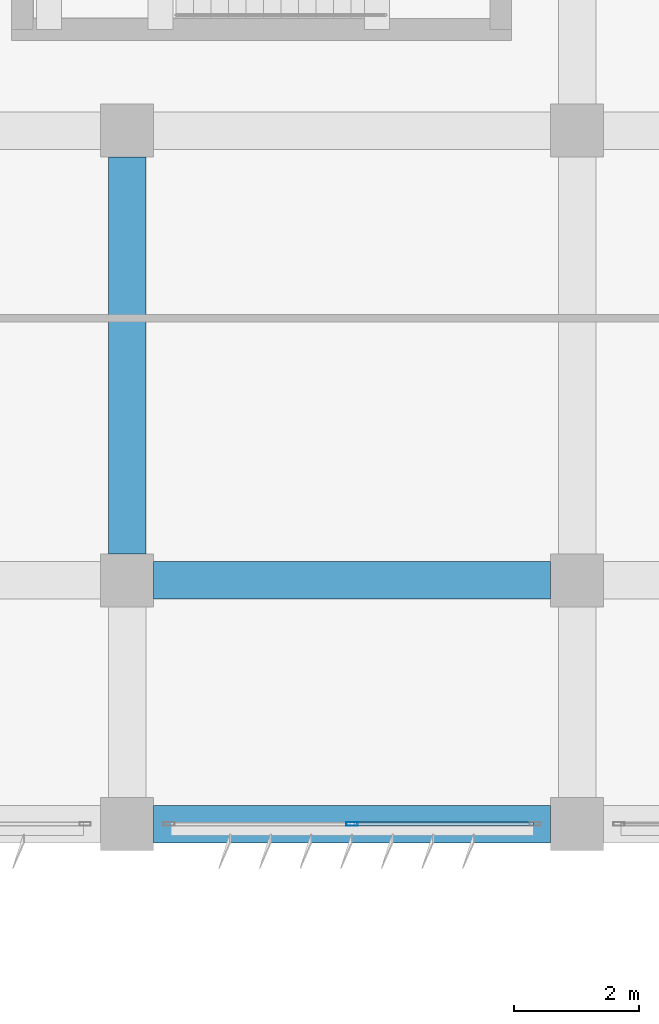
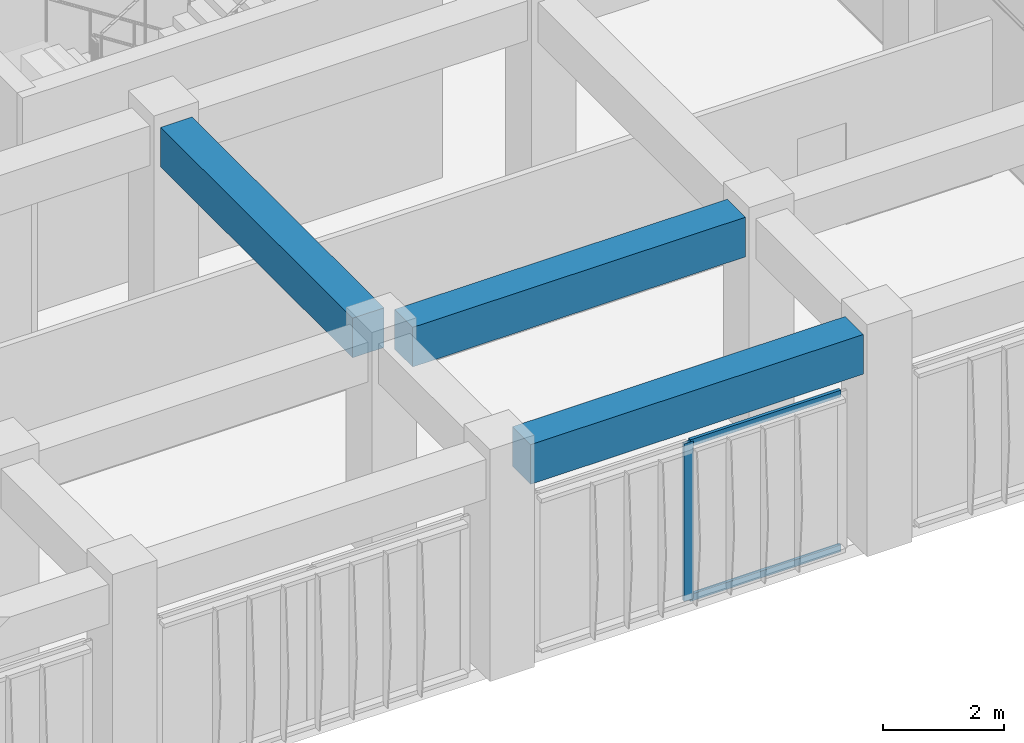
# One storey, part 16 of 55: 3 beams, 3 members, 1 element without a shape of its own.
"""IFC4 building model written with IfcOpenShell, lengths in metres."""

from ifc_helpers import new_model, si_unit, direction, frame, origin, origin_2d, place, context, subcontext, project, spatial, rectangle, hollow_rectangle, extrude, material, material_profile, profile_set, type_object, element, aggregate, save


model = new_model("IFC4")

# Units and contexts
model_context = context("Model", 3, precision=1e-05, world=origin(), true_north=direction((0.0, 1.0)))
body_context = subcontext(model_context, "Body", "Model", "MODEL_VIEW")
ifc_project = project(units=[si_unit("LENGTHUNIT", "METRE"), si_unit("AREAUNIT", "SQUARE_METRE"), si_unit("VOLUMEUNIT", "CUBIC_METRE"), si_unit("PLANEANGLEUNIT", "RADIAN"), si_unit("MASSUNIT", "GRAM", prefix="KILO")], contexts=[model_context])

# Site, building, storey
site_placement = place(None, origin())
site = spatial("IfcSite", under=ifc_project, at=site_placement, CompositionType="ELEMENT")
building_placement = place(site_placement, origin())
building = spatial("IfcBuilding", under=site, at=building_placement, Name="Kazehaya Institute of Natural Sciences", CompositionType="ELEMENT")
storey_placement = place(building_placement, frame((0.0, 0.0, 15.1201171875)))
storey = spatial("IfcBuildingStorey", under=building, at=storey_placement, Name="L03", CompositionType="ELEMENT", Elevation=15.1201171875)

# Beams
ifc_material_1 = material(Name="Concrete Fc36", Category="concrete")
ifc_material_profile_1 = material_profile(ifc_material_1, rectangle(XDim=0.60009765625, YDim=0.800048828125, at=origin_2d()), Name="RC-600x800")
ifc_profile_set_1 = profile_set([ifc_material_profile_1], Name="Concrete Fc36")
beam_type = type_object("IfcBeamType", Name="BM-G-600x800", PredefinedType="BEAM", material=ifc_profile_set_1)
for number, where, z_axis, x_axis, name in (
    (1, (105.425048828125, 10.10009765625, 4.009765625), (1.0, 0.0, 0.0), (0.0, 1.0, 0.0), "L03 primary X girder BMX-L03-1050-101"),
    (2, (105.425048828125, 14.0, 4.009765625), (1.0, 0.0, 0.0), (0.0, 1.0, 0.0), "L03 primary X girder BMX-L03-1050-140"),
    (3, (105.0, 14.425048828125, 4.009765625), (0.0, 1.0, 0.0), (-1.0, 0.0, 0.0), "L03 primary Y girder BMY-L03-1050-140"),
):
    element("IfcBeam", number, at=place(storey_placement, frame(where, z_axis=z_axis, x_axis=x_axis)), inside=storey, type_object=beam_type, Name=name, PredefinedType="BEAM", context=body_context, shape_type="SweptSolid", body=[
        extrude(rectangle(XDim=0.60009765625, YDim=0.800048828125, at=origin_2d()), origin(), (0.0, 0.0, 1.0), 6.349853515625),
    ])

# Curtain wall, members
ifc_material_2 = material(Name="Aluminium alloy A6063S-T5", Category="aluminium")
curtain_wall_type = type_object("IfcCurtainWallType", Name="CW-SYS-03", PredefinedType="NOTDEFINED", material=ifc_material_2)
curtain_wall_placement = place(storey_placement, origin())
curtain_wall = element("IfcCurtainWall", 4, at=curtain_wall_placement, inside=storey, type_object=curtain_wall_type, Name="L03 unitised curtain wall CW-L03-058", PredefinedType="NOTDEFINED")
ifc_material_profile_2 = material_profile(ifc_material_2, hollow_rectangle(XDim=0.06005859375, YDim=0.179931640625, WallThickness=0.00390625, at=origin_2d()), Name="ALU-60x180x4")
ifc_profile_set_2 = profile_set([ifc_material_profile_2], Name="Aluminium alloy A6063S-T5")
member_type_1 = type_object("IfcMemberType", Name="CWM-180", PredefinedType="MULLION", material=ifc_profile_set_2)
member_1_placement = place(storey_placement, frame((108.60009765625, 10.10009765625, 0.0), z_axis=(0.0, 0.0, 1.0), x_axis=(0.0, -1.0, 0.0)))
member_1 = element("IfcMember", 5, at=member_1_placement, type_object=member_type_1, Name="CW03 mullion 2", PredefinedType="MULLION", context=body_context, shape_type="SweptSolid", body=[
    extrude(hollow_rectangle(XDim=0.06005859375, YDim=0.179931640625, WallThickness=0.00390625, at=origin_2d()), origin(), (0.0, 0.0, 1.0), 3.179931640625),
])
ifc_material_profile_3 = material_profile(ifc_material_2, hollow_rectangle(XDim=0.06005859375, YDim=0.139892578125, WallThickness=0.00341796875, at=origin_2d()), Name="ALU-60x140x3.5")
ifc_profile_set_3 = profile_set([ifc_material_profile_3], Name="Aluminium alloy A6063S-T5")
member_type_2 = type_object("IfcMemberType", Name="CWT-140", PredefinedType="USERDEFINED", material=ifc_profile_set_3)
member_2_placement = place(storey_placement, frame((111.5, 10.10009765625, 0.02978515625), z_axis=(-1.0, 0.0, 0.0), x_axis=(0.0, -1.0, 0.0)))
member_2 = element("IfcMember", 6, at=member_2_placement, type_object=member_type_2, Name="CW03 transom 1.1", ObjectType="TRANSOM", PredefinedType="USERDEFINED", context=body_context, shape_type="SweptSolid", body=[
    extrude(hollow_rectangle(XDim=0.06005859375, YDim=0.139892578125, WallThickness=0.00341796875, at=origin_2d()), origin(), (0.0, 0.0, 1.0), 2.8701171875),
])
member_3_placement = place(storey_placement, frame((111.5, 10.10009765625, 3.14990234375), z_axis=(-1.0, 0.0, 0.0), x_axis=(0.0, -1.0, 0.0)))
member_3 = element("IfcMember", 7, at=member_3_placement, type_object=member_type_2, Name="CW03 transom 1.2", ObjectType="TRANSOM", PredefinedType="USERDEFINED", context=body_context, shape_type="SweptSolid", body=[
    extrude(hollow_rectangle(XDim=0.06005859375, YDim=0.139892578125, WallThickness=0.00341796875, at=origin_2d()), origin(), (0.0, 0.0, 1.0), 2.8701171875),
])
aggregate(curtain_wall, [member_1, member_2, member_3])

save(model, "model.ifc")
